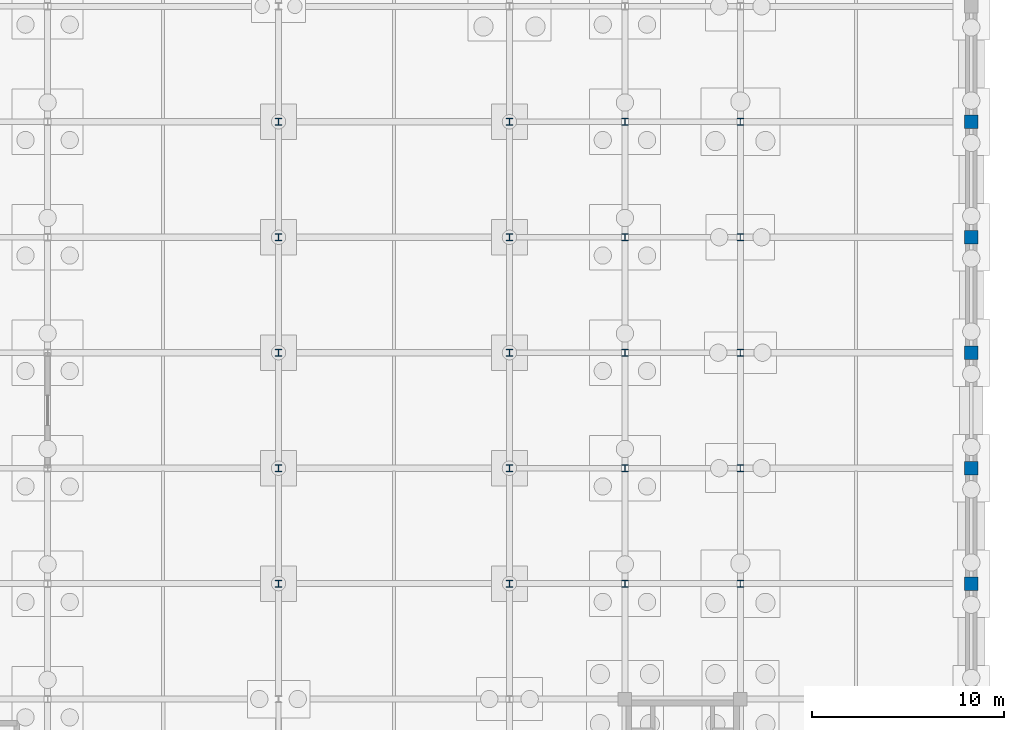
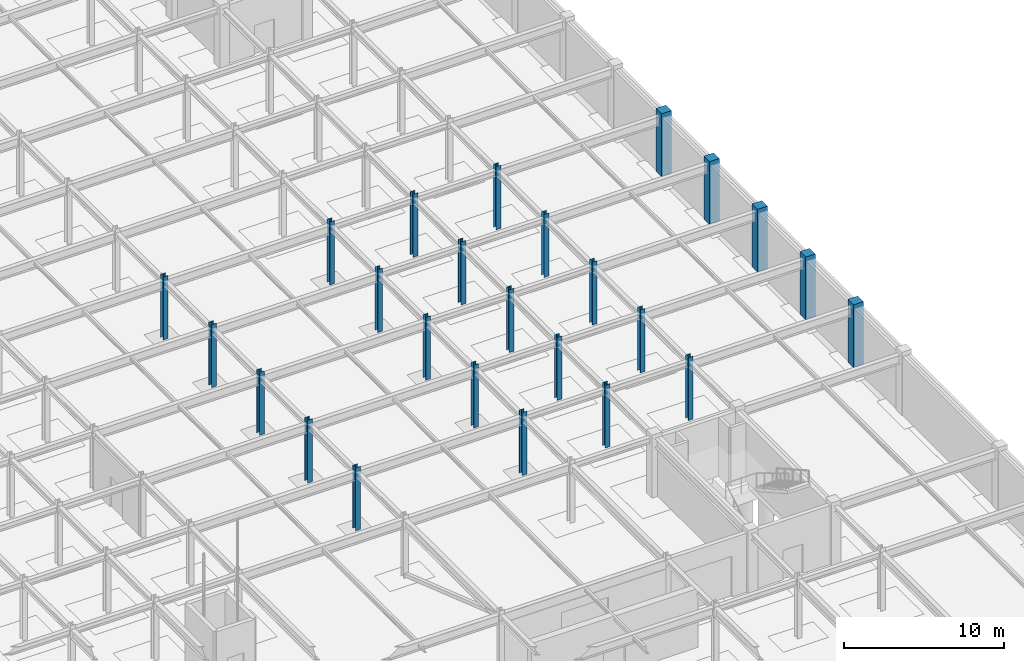
# One storey, part 31 of 69: 25 columns.
"""IFC4 building model written with IfcOpenShell, lengths in metres."""

from ifc_helpers import new_model, si_unit, direction, frame, origin, origin_2d, place, context, subcontext, project, spatial, rectangle, i_section, extrude, material, material_profile, profile_set, type_object, element, save


model = new_model("IFC4")

# Units and contexts
model_context = context("Model", 3, precision=1e-05, world=origin(), true_north=direction((0.0, 1.0)))
body_context = subcontext(model_context, "Body", "Model", "MODEL_VIEW")
ifc_project = project(units=[si_unit("LENGTHUNIT", "METRE"), si_unit("AREAUNIT", "SQUARE_METRE"), si_unit("VOLUMEUNIT", "CUBIC_METRE"), si_unit("PLANEANGLEUNIT", "RADIAN"), si_unit("MASSUNIT", "GRAM", prefix="KILO")], contexts=[model_context])

# Site, building, storey
site_placement = place(None, origin())
site = spatial("IfcSite", under=ifc_project, at=site_placement, CompositionType="ELEMENT")
building_placement = place(site_placement, origin())
building = spatial("IfcBuilding", under=site, at=building_placement, Name="Zlatovratsky Civic Hall", CompositionType="ELEMENT")
storey_placement = place(building_placement, frame((0.0, 0.0, -4.800048828125)))
storey = spatial("IfcBuildingStorey", under=building, at=storey_placement, Name="B1", CompositionType="ELEMENT", Elevation=-4.800048828125)

# Columns
ifc_material_1 = material(Name="Concrete C35/45 (B40)", Category="concrete")
ifc_material_profile_1 = material_profile(ifc_material_1, rectangle(XDim=0.699951171875, YDim=0.699951171875, at=origin_2d()), Name="RC 700x700")
ifc_profile_set_1 = profile_set([ifc_material_profile_1], Name="Concrete C35/45 (B40)")
column_type_1 = type_object("IfcColumnType", Name="Col_CorePier_RC700", PredefinedType="COLUMN", material=ifc_profile_set_1)
for number, where, z_axis, x_axis, name in (
    (1, (168.0, 36.0, 0.0), (0.0, 0.0, 1.0), (1.0, 0.0, 0.0), "CL-0117"),
    (2, (168.0, 42.0, 0.0), (0.0, 0.0, 1.0), (1.0, 0.0, 0.0), "CL-0140"),
    (3, (168.0, 48.0, 0.0), (0.0, 0.0, 1.0), (1.0, 0.0, 0.0), "CL-0163"),
    (4, (168.0, 54.0, 0.0), (0.0, 0.0, 1.0), (1.0, 0.0, 0.0), "CL-0186"),
    (5, (168.0, 60.0, 0.0), (0.0, 0.0, 1.0), (1.0, 0.0, 0.0), "CL-0209"),
):
    element("IfcColumn", number, at=place(storey_placement, frame(where, z_axis=z_axis, x_axis=x_axis)), inside=storey, type_object=column_type_1, Name=name, PredefinedType="COLUMN", context=body_context, shape_type="SweptSolid", body=[
        extrude(rectangle(XDim=0.699951171875, YDim=0.699951171875, at=origin_2d()), origin(), (0.0, 0.0, 1.0), 4.800048828125),
    ])
ifc_material_2 = material(Name="Steel S355", Category="steel")
ifc_material_profile_2 = material_profile(ifc_material_2, i_section(OverallWidth=0.35009765625, OverallDepth=0.35009765625, WebThickness=0.011962890625, FlangeThickness=0.01904296875, FilletRadius=0.02001953125, at=origin_2d()), Name="35K2")
ifc_profile_set_2 = profile_set([ifc_material_profile_2], Name="Steel S355")
column_type_2 = type_object("IfcColumnType", Name="Col_Steel_35K2", PredefinedType="COLUMN", material=ifc_profile_set_2)
for number, where, z_axis, x_axis, name in (
    (6, (132.0, 36.0, 0.0), (0.0, 0.0, 1.0), (1.0, 0.0, 0.0), "CL-0113"),
    (7, (144.0, 36.0, 0.0), (0.0, 0.0, 1.0), (1.0, 0.0, 0.0), "CL-0114"),
    (8, (150.0, 36.0, 0.0), (0.0, 0.0, 1.0), (1.0, 0.0, 0.0), "CL-0115"),
    (9, (156.0, 36.0, 0.0), (0.0, 0.0, 1.0), (1.0, 0.0, 0.0), "CL-0116"),
    (10, (132.0, 42.0, 0.0), (0.0, 0.0, 1.0), (1.0, 0.0, 0.0), "CL-0136"),
    (11, (144.0, 42.0, 0.0), (0.0, 0.0, 1.0), (1.0, 0.0, 0.0), "CL-0137"),
    (12, (150.0, 42.0, 0.0), (0.0, 0.0, 1.0), (1.0, 0.0, 0.0), "CL-0138"),
    (13, (156.0, 42.0, 0.0), (0.0, 0.0, 1.0), (1.0, 0.0, 0.0), "CL-0139"),
    (14, (132.0, 48.0, 0.0), (0.0, 0.0, 1.0), (1.0, 0.0, 0.0), "CL-0159"),
    (15, (144.0, 48.0, 0.0), (0.0, 0.0, 1.0), (1.0, 0.0, 0.0), "CL-0160"),
    (16, (150.0, 48.0, 0.0), (0.0, 0.0, 1.0), (1.0, 0.0, 0.0), "CL-0161"),
    (17, (156.0, 48.0, 0.0), (0.0, 0.0, 1.0), (1.0, 0.0, 0.0), "CL-0162"),
    (18, (132.0, 54.0, 0.0), (0.0, 0.0, 1.0), (1.0, 0.0, 0.0), "CL-0182"),
    (19, (144.0, 54.0, 0.0), (0.0, 0.0, 1.0), (1.0, 0.0, 0.0), "CL-0183"),
    (20, (150.0, 54.0, 0.0), (0.0, 0.0, 1.0), (1.0, 0.0, 0.0), "CL-0184"),
    (21, (156.0, 54.0, 0.0), (0.0, 0.0, 1.0), (1.0, 0.0, 0.0), "CL-0185"),
    (22, (132.0, 60.0, 0.0), (0.0, 0.0, 1.0), (1.0, 0.0, 0.0), "CL-0205"),
    (23, (144.0, 60.0, 0.0), (0.0, 0.0, 1.0), (1.0, 0.0, 0.0), "CL-0206"),
    (24, (150.0, 60.0, 0.0), (0.0, 0.0, 1.0), (1.0, 0.0, 0.0), "CL-0207"),
    (25, (156.0, 60.0, 0.0), (0.0, 0.0, 1.0), (1.0, 0.0, 0.0), "CL-0208"),
):
    element("IfcColumn", number, at=place(storey_placement, frame(where, z_axis=z_axis, x_axis=x_axis)), inside=storey, type_object=column_type_2, Name=name, PredefinedType="COLUMN", context=body_context, shape_type="SweptSolid", body=[
        extrude(i_section(OverallWidth=0.35009765625, OverallDepth=0.35009765625, WebThickness=0.011962890625, FlangeThickness=0.01904296875, FilletRadius=0.02001953125, at=origin_2d()), origin(), (0.0, 0.0, 1.0), 4.800048828125),
    ])

save(model, "model.ifc")
